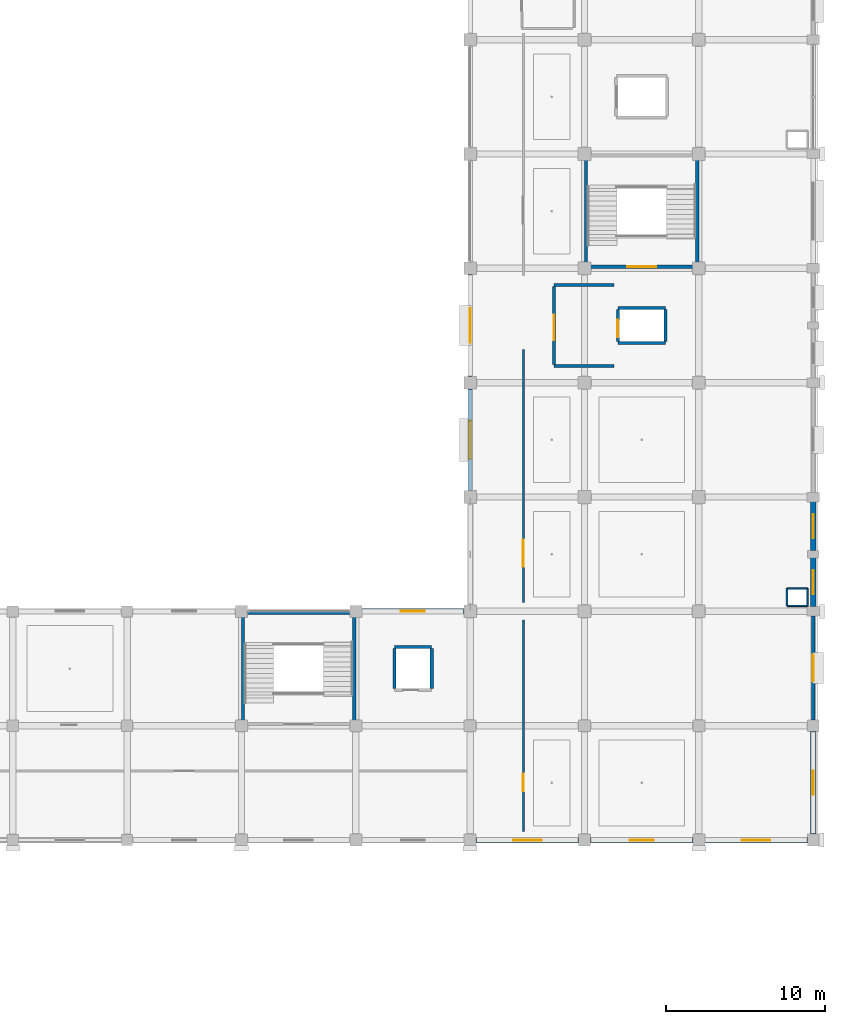
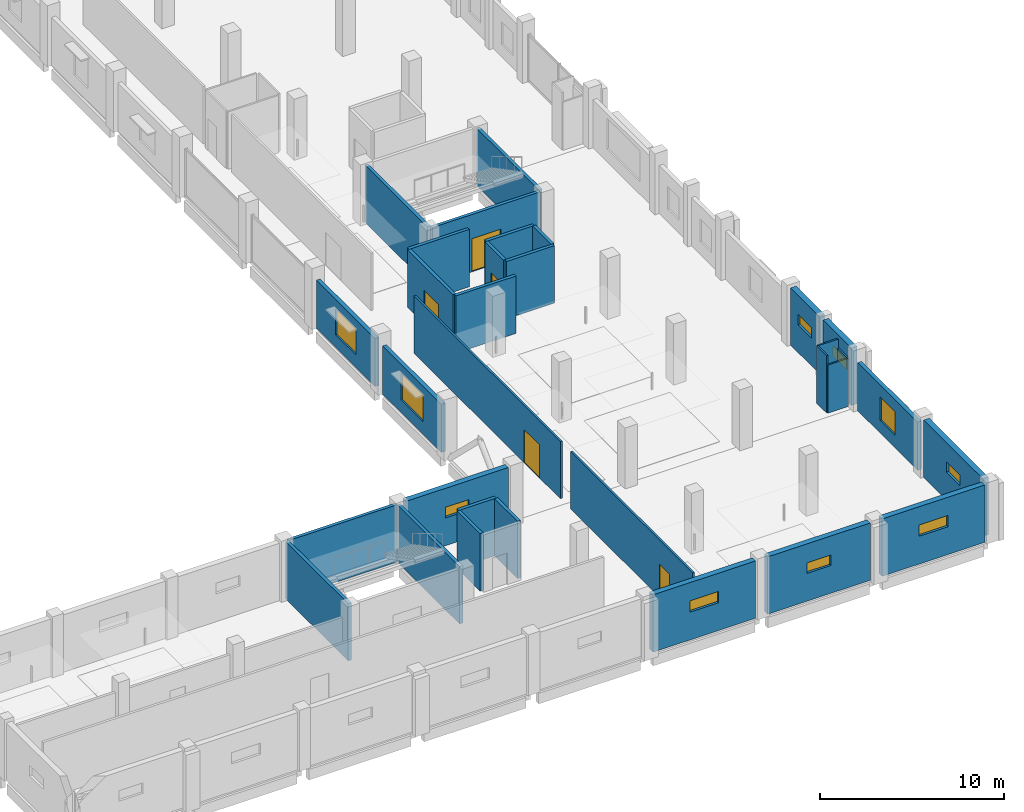
# One storey, part 83 of 107: 32 walls, 10 windows, 5 doors, 15 openings.
"""IFC4 building model written with IfcOpenShell, lengths in metres."""

from ifc_helpers import new_model, si_unit, direction, frame, frame_2d, origin, place, context, subcontext, project, spatial, rectangle, extrude, material, layer, layer_set, type_object, element, fill, save


model = new_model("IFC4")

# Units and contexts
model_context = context("Model", 3, precision=1e-05, world=origin(), true_north=direction((0.0, 1.0)))
body_context = subcontext(model_context, "Body", "Model", "MODEL_VIEW")
ifc_project = project(units=[si_unit("LENGTHUNIT", "METRE"), si_unit("AREAUNIT", "SQUARE_METRE"), si_unit("VOLUMEUNIT", "CUBIC_METRE"), si_unit("PLANEANGLEUNIT", "RADIAN"), si_unit("MASSUNIT", "GRAM", prefix="KILO")], contexts=[model_context])

# Site, building, storey
site_placement = place(None, origin())
site = spatial("IfcSite", under=ifc_project, at=site_placement, CompositionType="ELEMENT")
building_placement = place(site_placement, origin())
building = spatial("IfcBuilding", under=site, at=building_placement, Name="Kangsadwip Square Police Headquarters", CompositionType="ELEMENT")
storey_placement = place(building_placement, frame((0.0, 0.0, 5.39990234375)))
storey = spatial("IfcBuildingStorey", under=building, at=storey_placement, Name="L01", CompositionType="ELEMENT", Elevation=5.39990234375)

# Wall, opening, door
ifc_material_1 = material(Name="Fire-rated double gypsum board acoustic stud partition", Category="masonry")
ifc_layer_1 = layer(ifc_material_1, 0.1201171875)
ifc_layer_set_1 = layer_set([ifc_layer_1], Name="Fire-rated double gypsum board acoustic stud partition")
wall_type_1 = type_object("IfcWallType", Name="AcousticPartition120", PredefinedType="PARTITIONING", material=ifc_layer_set_1)
wall_1_placement = place(storey_placement, frame((147.35009765625, 36.550048828125, 0.0), z_axis=(0.0, 0.0, 1.0), x_axis=(0.0, 1.0, 0.0)))
wall_1 = element("IfcWall", 1, at=wall_1_placement, inside=storey, type_object=wall_type_1, Name="Interior Wall WI-L01-0741", PredefinedType="PARTITIONING", context=body_context, shape_type="SweptSolid", body=[
    extrude(rectangle(XDim=15.949951171875, YDim=0.1201171875, at=frame_2d((7.97509765625, 0.0))), origin(), (0.0, 0.0, 1.0), 3.81005859375),
])
opening_1_placement = place(wall_1_placement, frame((2.25, 0.0, 0.0)))
opening_1 = element("IfcOpeningElement", 2, at=opening_1_placement, cuts=wall_1, Name="Opening ID-17", PredefinedType="OPENING", context=body_context, shape_type="SweptSolid", body=[
    extrude(rectangle(XDim=1.699951171875, YDim=2.199951171875, at=frame_2d((0.85009765625, 1.10009765625))), frame((0.0, 0.070068359375, 0.0), z_axis=(0.0, -1.0, 0.0), x_axis=(1.0, 0.0, 0.0)), (0.0, 0.0, 1.0), 0.14013671875),
])
ifc_material_2 = material(Name="Insulated galvanized steel fire-rated door assembly", Category="steel")
door_type_1 = type_object("IfcDoorType", Name="LabDoubleDoor1700x2200", OperationType="DOUBLE_DOOR_SINGLE_SWING", PredefinedType="DOOR", material=ifc_material_2)
door_1_placement = place(opening_1_placement, origin())
door_1 = element("IfcDoor", 3, at=door_1_placement, inside=storey, type_object=door_type_1, Name="Interior Door ID-L01-0170", OperationType="DOUBLE_DOOR_SINGLE_SWING", OverallHeight=2.199951171875, OverallWidth=1.699951171875, PredefinedType="DOOR", context=body_context, shape_type="SweptSolid", body=[
    extrude(rectangle(XDim=1.699951171875, YDim=2.199951171875, at=frame_2d((0.85009765625, 1.10009765625))), frame((0.0, 0.02490234375, 0.0), z_axis=(0.0, -1.0, 0.0), x_axis=(1.0, 0.0, 0.0)), (0.0, 0.0, 1.0), 0.050048828125),
])
fill(opening_1, door_1)

wall_2_placement = place(storey_placement, frame((147.35009765625, 22.14990234375, 0.0), z_axis=(0.0, 0.0, 1.0), x_axis=(0.0, 1.0, 0.0)))
wall_2 = element("IfcWall", 4, at=wall_2_placement, inside=storey, type_object=wall_type_1, Name="Interior Wall WI-L01-0749", PredefinedType="PARTITIONING", context=body_context, shape_type="SweptSolid", body=[
    extrude(rectangle(XDim=13.300048828125, YDim=0.1201171875, at=frame_2d((6.64990234375, 0.0))), origin(), (0.0, 0.0, 1.0), 3.81005859375),
])
opening_2_placement = place(wall_2_placement, frame((2.5390625, 0.0, 0.0)))
opening_2 = element("IfcOpeningElement", 5, at=opening_2_placement, cuts=wall_2, Name="Opening FD-11A", PredefinedType="OPENING", context=body_context, shape_type="SweptSolid", body=[
    extrude(rectangle(XDim=1.10009765625, YDim=2.199951171875, at=frame_2d((0.550048828125, 1.10009765625))), frame((0.0, 0.070068359375, 0.0), z_axis=(0.0, -1.0, 0.0), x_axis=(1.0, 0.0, 0.0)), (0.0, 0.0, 1.0), 0.14013671875),
])
ifc_material_3 = material(Name="Insulated galvanized steel fire-rated door assembly", Category="steel")
door_type_2 = type_object("IfcDoorType", Name="LabSingleDoor1100x2200", OperationType="NOTDEFINED", PredefinedType="DOOR", material=ifc_material_3)
door_2_placement = place(opening_2_placement, origin())
door_2 = element("IfcDoor", 6, at=door_2_placement, inside=storey, type_object=door_type_2, Name="Interior Door ID-L01-0177", OperationType="SINGLE_SWING_LEFT", OverallHeight=2.199951171875, OverallWidth=1.10009765625, PredefinedType="DOOR", context=body_context, shape_type="SweptSolid", body=[
    extrude(rectangle(XDim=1.10009765625, YDim=2.199951171875, at=frame_2d((0.550048828125, 1.10009765625))), frame((0.0, 0.02490234375, 0.0), z_axis=(0.0, -1.0, 0.0), x_axis=(1.0, 0.0, 0.0)), (0.0, 0.0, 1.0), 0.050048828125),
])
fill(opening_2, door_2)

# Wall, opening, window
ifc_material_4 = material(Name="Glazed architectural terracotta masonry rainscreen", Category="masonry")
ifc_layer_2 = layer(ifc_material_4, 0.25)
ifc_layer_set_2 = layer_set([ifc_layer_2], Name="Glazed architectural terracotta masonry rainscreen")
wall_type_2 = type_object("IfcWallType", Name="ChicagoTerracottaWall250", PredefinedType="SOLIDWALL", material=ifc_layer_set_2)
wall_3_placement = place(storey_placement, frame((144.0, 43.594970703125, 0.0), z_axis=(0.0, 0.0, 1.0), x_axis=(0.0, 1.0, 0.0)))
wall_3 = element("IfcWall", 7, at=wall_3_placement, inside=storey, type_object=wall_type_2, Name="Exterior Wall WE-L01-274", PredefinedType="SOLIDWALL", context=body_context, shape_type="SweptSolid", body=[
    extrude(rectangle(XDim=6.409912109375, YDim=0.25, at=frame_2d((3.205078125, 0.0))), origin(), (0.0, 0.0, 1.0), 3.195068359375),
])
opening_3_placement = place(wall_3_placement, frame((2.0048828125, 0.0, 0.85009765625)))
opening_3 = element("IfcOpeningElement", 8, at=opening_3_placement, cuts=wall_3, Name="Opening WN-07", PredefinedType="OPENING", context=body_context, shape_type="SweptSolid", body=[
    extrude(rectangle(XDim=2.39990234375, YDim=1.75, at=frame_2d((1.199951171875, 0.875))), frame((0.0, 0.135009765625, 0.0), z_axis=(0.0, -1.0, 0.0), x_axis=(1.0, 0.0, 0.0)), (0.0, 0.0, 1.0), 0.27001953125),
])
ifc_material_5 = material(Name="Double-glazed solar-control low-E safety glass", Category="glass")
window_type_1 = type_object("IfcWindowType", Name="ChicagoDoubleMullWin2400x1750", PartitioningType="DOUBLE_PANEL_VERTICAL", PredefinedType="WINDOW", material=ifc_material_5)
window_1_placement = place(opening_3_placement, origin())
window_1 = element("IfcWindow", 9, at=window_1_placement, inside=storey, type_object=window_type_1, Name="Window WN-L01-0127", OverallHeight=1.75, OverallWidth=2.39990234375, PartitioningType="SINGLE_PANEL", PredefinedType="WINDOW", context=body_context, shape_type="SweptSolid", body=[
    extrude(rectangle(XDim=2.39990234375, YDim=1.75, at=frame_2d((1.199951171875, 0.875))), frame((0.0, 0.030029296875, 0.0), z_axis=(0.0, -1.0, 0.0), x_axis=(1.0, 0.0, 0.0)), (0.0, 0.0, 1.0), 0.06005859375),
])
fill(opening_3, window_1)

wall_4_placement = place(storey_placement, frame((144.0, 50.794921875, 0.0), z_axis=(0.0, 0.0, 1.0), x_axis=(0.0, 1.0, 0.0)))
wall_4 = element("IfcWall", 10, at=wall_4_placement, inside=storey, type_object=wall_type_2, Name="Exterior Wall WE-L01-275", PredefinedType="SOLIDWALL", context=body_context, shape_type="SweptSolid", body=[
    extrude(rectangle(XDim=6.41015625, YDim=0.25, at=frame_2d((3.205078125, 0.0))), origin(), (0.0, 0.0, 1.0), 3.195068359375),
])
opening_4_placement = place(wall_4_placement, frame((2.10498046875, 0.0, 0.85009765625)))
opening_4 = element("IfcOpeningElement", 11, at=opening_4_placement, cuts=wall_4, Name="Opening WN-08", PredefinedType="OPENING", context=body_context, shape_type="SweptSolid", body=[
    extrude(rectangle(XDim=2.199951171875, YDim=1.699951171875, at=frame_2d((1.10009765625, 0.85009765625))), frame((0.0, 0.135009765625, 0.0), z_axis=(0.0, -1.0, 0.0), x_axis=(1.0, 0.0, 0.0)), (0.0, 0.0, 1.0), 0.27001953125),
])
ifc_material_6 = material(Name="Double-glazed solar-control low-E safety glass", Category="glass")
window_type_2 = type_object("IfcWindowType", Name="ChicagoDoubleMullWin2200x1700", PartitioningType="DOUBLE_PANEL_VERTICAL", PredefinedType="WINDOW", material=ifc_material_6)
window_2_placement = place(opening_4_placement, origin())
window_2 = element("IfcWindow", 12, at=window_2_placement, inside=storey, type_object=window_type_2, Name="Window WN-L01-0128", OverallHeight=1.699951171875, OverallWidth=2.199951171875, PartitioningType="SINGLE_PANEL", PredefinedType="WINDOW", context=body_context, shape_type="SweptSolid", body=[
    extrude(rectangle(XDim=2.199951171875, YDim=1.699951171875, at=frame_2d((1.10009765625, 0.85009765625))), frame((0.0, 0.030029296875, 0.0), z_axis=(0.0, -1.0, 0.0), x_axis=(1.0, 0.0, 0.0)), (0.0, 0.0, 1.0), 0.06005859375),
])
fill(opening_4, window_2)

wall_5_placement = place(storey_placement, frame((165.60009765625, 29.169921875, 0.0), z_axis=(0.0, 0.0, 1.0), x_axis=(0.0, 1.0, 0.0)))
wall_5 = element("IfcWall", 13, at=wall_5_placement, inside=storey, type_object=wall_type_2, Name="Exterior Wall WE-L01-280", PredefinedType="SOLIDWALL", context=body_context, shape_type="SweptSolid", body=[
    extrude(rectangle(XDim=6.53515625, YDim=0.25, at=frame_2d((3.267578125, 0.0))), origin(), (0.0, 0.0, 1.0), 3.195068359375),
])
opening_5_placement = place(wall_5_placement, frame((2.4423828125, 0.0, 0.85009765625)))
opening_5 = element("IfcOpeningElement", 14, at=opening_5_placement, cuts=wall_5, Name="Opening WN-11", PredefinedType="OPENING", context=body_context, shape_type="SweptSolid", body=[
    extrude(rectangle(XDim=1.64990234375, YDim=1.550048828125, at=frame_2d((0.824951171875, 0.77490234375))), frame((0.0, 0.135009765625, 0.0), z_axis=(0.0, -1.0, 0.0), x_axis=(1.0, 0.0, 0.0)), (0.0, 0.0, 1.0), 0.27001953125),
])
ifc_material_7 = material(Name="Double-glazed solar-control low-E safety glass", Category="glass")
window_type_3 = type_object("IfcWindowType", Name="LabCleanViewWin1650x1550", PartitioningType="SINGLE_PANEL", PredefinedType="WINDOW", material=ifc_material_7)
window_3_placement = place(opening_5_placement, origin())
window_3 = element("IfcWindow", 15, at=window_3_placement, inside=storey, type_object=window_type_3, Name="Window WN-L01-0133", OverallHeight=1.550048828125, OverallWidth=1.64990234375, PartitioningType="SINGLE_PANEL", PredefinedType="WINDOW", context=body_context, shape_type="SweptSolid", body=[
    extrude(rectangle(XDim=1.64990234375, YDim=1.550048828125, at=frame_2d((0.824951171875, 0.77490234375))), frame((0.0, 0.030029296875, 0.0), z_axis=(0.0, -1.0, 0.0), x_axis=(1.0, 0.0, 0.0)), (0.0, 0.0, 1.0), 0.06005859375),
])
fill(opening_5, window_3)

# Wall, opening, door
ifc_material_8 = material(Name="Concrete M40 (40 MPa)", Category="concrete")
ifc_layer_3 = layer(ifc_material_8, 0.199951171875)
ifc_layer_set_3 = layer_set([ifc_layer_3], Name="Concrete M40 (40 MPa)")
wall_type_3 = type_object("IfcWallType", Name="CoreShearWall200", PredefinedType="SHEAR", material=ifc_layer_set_3)
wall_6_placement = place(storey_placement, frame((151.39990234375, 57.699951171875, 0.0), z_axis=(0.0, 0.0, 1.0), x_axis=(1.0, 0.0, 0.0)))
wall_6 = element("IfcWall", 16, at=wall_6_placement, inside=storey, type_object=wall_type_3, Name="Interior Wall WI-L01-0097", PredefinedType="SHEAR", context=body_context, shape_type="SweptSolid", body=[
    extrude(rectangle(XDim=6.800048828125, YDim=0.199951171875, at=frame_2d((3.39990234375, 0.0))), origin(), (0.0, 0.0, 1.0), 3.81005859375),
])
opening_6_placement = place(wall_6_placement, frame((2.5, 0.0, 0.0)))
opening_6 = element("IfcOpeningElement", 17, at=opening_6_placement, cuts=wall_6, Name="Opening FD-18", PredefinedType="OPENING", context=body_context, shape_type="SweptSolid", body=[
    extrude(rectangle(XDim=1.800048828125, YDim=2.199951171875, at=frame_2d((0.89990234375, 1.10009765625))), frame((0.0, 0.10986328125, 0.0), z_axis=(0.0, -1.0, 0.0), x_axis=(1.0, 0.0, 0.0)), (0.0, 0.0, 1.0), 0.219970703125),
])
ifc_material_9 = material(Name="Insulated galvanized steel fire-rated door assembly", Category="steel")
door_type_3 = type_object("IfcDoorType", Name="StairFireDoor1800x2200", OperationType="DOUBLE_DOOR_SINGLE_SWING", PredefinedType="DOOR", material=ifc_material_9)
door_3_placement = place(opening_6_placement, origin())
door_3 = element("IfcDoor", 18, at=door_3_placement, inside=storey, type_object=door_type_3, Name="Interior Door ID-L01-0021", OperationType="DOUBLE_DOOR_SINGLE_SWING", OverallHeight=2.199951171875, OverallWidth=1.800048828125, PredefinedType="DOOR", context=body_context, shape_type="SweptSolid", body=[
    extrude(rectangle(XDim=1.800048828125, YDim=2.199951171875, at=frame_2d((0.89990234375, 1.10009765625))), frame((0.0, 0.02490234375, 0.0), z_axis=(0.0, -1.0, 0.0), x_axis=(1.0, 0.0, 0.0)), (0.0, 0.0, 1.0), 0.050048828125),
])
fill(opening_6, door_3)

# Walls
for number, where, z_axis, x_axis, name in (
    (19, (151.300048828125, 57.800048828125, 0.0), (0.0, 0.0, 1.0), (0.0, 1.0, 0.0), "Interior Wall WI-L01-0099"),
    (20, (158.300048828125, 57.800048828125, 0.0), (0.0, 0.0, 1.0), (0.0, 1.0, 0.0), "Interior Wall WI-L01-0100"),
    (21, (129.800048828125, 35.89990234375, 0.0), (0.0, 0.0, 1.0), (1.0, 0.0, 0.0), "Interior Wall WI-L01-0184"),
    (22, (129.699951171875, 29.0, 0.0), (0.0, 0.0, 1.0), (0.0, 1.0, 0.0), "Interior Wall WI-L01-0185"),
    (23, (136.699951171875, 29.0, 0.0), (0.0, 0.0, 1.0), (0.0, 1.0, 0.0), "Interior Wall WI-L01-0186"),
):
    element("IfcWall", number, at=place(storey_placement, frame(where, z_axis=z_axis, x_axis=x_axis)), inside=storey, type_object=wall_type_3, Name=name, PredefinedType="SHEAR", context=body_context, shape_type="SweptSolid", body=[
        extrude(rectangle(XDim=6.800048828125, YDim=0.199951171875, at=frame_2d((3.39990234375, 0.0))), origin(), (0.0, 0.0, 1.0), 3.81005859375),
    ])
for number, where, z_axis, x_axis, name in (
    (24, (153.300048828125, 52.89990234375, 0.0), (0.0, 0.0, 1.0), (1.0, 0.0, 0.0), "Interior Wall WI-L01-0319"),
    (25, (153.300048828125, 55.10009765625, 0.0), (0.0, 0.0, 1.0), (1.0, 0.0, 0.0), "Interior Wall WI-L01-0320"),
):
    element("IfcWall", number, at=place(storey_placement, frame(where, z_axis=z_axis, x_axis=x_axis)), inside=storey, type_object=wall_type_3, Name=name, PredefinedType="SHEAR", context=body_context, shape_type="SweptSolid", body=[
        extrude(rectangle(XDim=3.0, YDim=0.199951171875, at=frame_2d((1.5, 0.0))), origin(), (0.0, 0.0, 1.0), 3.81005859375),
    ])

# Wall, opening, door
wall_7_placement = place(storey_placement, frame((153.300048828125, 53.0, 0.0), z_axis=(0.0, 0.0, 1.0), x_axis=(0.0, 1.0, 0.0)))
wall_7 = element("IfcWall", 26, at=wall_7_placement, inside=storey, type_object=wall_type_3, Name="Interior Wall WI-L01-0321", PredefinedType="SHEAR", context=body_context, shape_type="SweptSolid", body=[
    extrude(rectangle(XDim=2.0, YDim=0.199951171875, at=frame_2d((1.0, 0.0))), origin(), (0.0, 0.0, 1.0), 3.81005859375),
])
opening_7_placement = place(wall_7_placement, frame((0.25, 0.0, 0.0)))
opening_7 = element("IfcOpeningElement", 27, at=opening_7_placement, cuts=wall_7, Name="Opening LD-021", PredefinedType="OPENING", context=body_context, shape_type="SweptSolid", body=[
    extrude(rectangle(XDim=1.10009765625, YDim=2.14990234375, at=frame_2d((0.550048828125, 1.074951171875))), frame((0.0, 0.10986328125, 0.0), z_axis=(0.0, -1.0, 0.0), x_axis=(1.0, 0.0, 0.0)), (0.0, 0.0, 1.0), 0.219970703125),
])
ifc_material_10 = material(Name="Brushed stainless steel automatic sliding lift landing door", Category="steel")
door_type_4 = type_object("IfcDoorType", Name="LiftLandingDoor1100x2150", OperationType="DOUBLE_DOOR_SLIDING", PredefinedType="DOOR", material=ifc_material_10)
door_4_placement = place(opening_7_placement, origin())
door_4 = element("IfcDoor", 28, at=door_4_placement, inside=storey, type_object=door_type_4, Name="Interior Door LD-021", OperationType="DOUBLE_DOOR_SLIDING", OverallHeight=2.14990234375, OverallWidth=1.10009765625, PredefinedType="DOOR", context=body_context, shape_type="SweptSolid", body=[
    extrude(rectangle(XDim=1.10009765625, YDim=2.14990234375, at=frame_2d((0.550048828125, 1.074951171875))), frame((0.0, 0.02490234375, 0.0), z_axis=(0.0, -1.0, 0.0), x_axis=(1.0, 0.0, 0.0)), (0.0, 0.0, 1.0), 0.050048828125),
])
fill(opening_7, door_4)

# Walls
wall_8_placement = place(storey_placement, frame((156.300048828125, 53.0, 0.0), z_axis=(0.0, 0.0, 1.0), x_axis=(0.0, 1.0, 0.0)))
element("IfcWall", 29, at=wall_8_placement, inside=storey, type_object=wall_type_3, Name="Interior Wall WI-L01-0322", PredefinedType="SHEAR", context=body_context, shape_type="SweptSolid", body=[
    extrude(rectangle(XDim=2.0, YDim=0.199951171875, at=frame_2d((1.0, 0.0))), origin(), (0.0, 0.0, 1.0), 3.81005859375),
])
wall_9_placement = place(storey_placement, frame((139.22509765625, 33.75, 0.0), z_axis=(0.0, 0.0, 1.0), x_axis=(1.0, 0.0, 0.0)))
element("IfcWall", 30, at=wall_9_placement, inside=storey, type_object=wall_type_3, Name="Interior Wall WI-L01-0492", PredefinedType="SHEAR", context=body_context, shape_type="SweptSolid", body=[
    extrude(rectangle(XDim=2.349853515625, YDim=0.199951171875, at=frame_2d((1.1748046875, 0.0))), origin(), (0.0, 0.0, 1.0), 3.81005859375),
])
for number, where, z_axis, x_axis, name in (
    (31, (139.22509765625, 31.14990234375, 0.0), (0.0, 0.0, 1.0), (0.0, 1.0, 0.0), "Interior Wall WI-L01-0493"),
    (32, (141.574951171875, 31.14990234375, 0.0), (0.0, 0.0, 1.0), (0.0, 1.0, 0.0), "Interior Wall WI-L01-0494"),
):
    element("IfcWall", number, at=place(storey_placement, frame(where, z_axis=z_axis, x_axis=x_axis)), inside=storey, type_object=wall_type_3, Name=name, PredefinedType="SHEAR", context=body_context, shape_type="SweptSolid", body=[
        extrude(rectangle(XDim=2.5, YDim=0.199951171875, at=frame_2d((1.25, 0.0))), origin(), (0.0, 0.0, 1.0), 3.81005859375),
    ])

# Wall, opening, window
ifc_material_11 = material(Name="Concrete M40 (40 MPa)", Category="concrete")
ifc_layer_4 = layer(ifc_material_11, 0.35009765625)
ifc_layer_set_4 = layer_set([ifc_layer_4], Name="Concrete M40 (40 MPa)")
wall_type_4 = type_object("IfcWallType", Name="CustodyPerimeterWall350", PredefinedType="SOLIDWALL", material=ifc_layer_set_4)
wall_10_placement = place(storey_placement, frame((144.3701171875, 21.60009765625, 0.0), z_axis=(0.0, 0.0, 1.0), x_axis=(1.0, 0.0, 0.0)))
wall_10 = element("IfcWall", 33, at=wall_10_placement, inside=storey, type_object=wall_type_4, Name="Exterior Wall WE-L01-228", PredefinedType="SOLIDWALL", context=body_context, shape_type="SweptSolid", body=[
    extrude(rectangle(XDim=6.4599609375, YDim=0.35009765625, at=frame_2d((3.22998046875, 0.0))), origin(), (0.0, 0.0, 1.0), 3.81005859375),
])
opening_8_placement = place(wall_10_placement, frame((2.330078125, 0.0, 1.85009765625)))
opening_8 = element("IfcOpeningElement", 34, at=opening_8_placement, cuts=wall_10, Name="Opening WN-16", PredefinedType="OPENING", context=body_context, shape_type="SweptSolid", body=[
    extrude(rectangle(XDim=1.800048828125, YDim=0.75, at=frame_2d((0.89990234375, 0.375))), frame((0.0, 0.18505859375, 0.0), z_axis=(0.0, -1.0, 0.0), x_axis=(1.0, 0.0, 0.0)), (0.0, 0.0, 1.0), 0.3701171875),
])
ifc_material_12 = material(Name="Double-glazed solar-control low-E safety glass", Category="glass")
window_type_4 = type_object("IfcWindowType", Name="CustodyClerestoryWin1800x750", PartitioningType="DOUBLE_PANEL_HORIZONTAL", PredefinedType="WINDOW", material=ifc_material_12)
window_4_placement = place(opening_8_placement, origin())
window_4 = element("IfcWindow", 35, at=window_4_placement, inside=storey, type_object=window_type_4, Name="Window WN-L01-0081", OverallHeight=0.75, OverallWidth=1.800048828125, PartitioningType="SINGLE_PANEL", PredefinedType="WINDOW", context=body_context, shape_type="SweptSolid", body=[
    extrude(rectangle(XDim=1.800048828125, YDim=0.75, at=frame_2d((0.89990234375, 0.375))), frame((0.0, 0.030029296875, 0.0), z_axis=(0.0, -1.0, 0.0), x_axis=(1.0, 0.0, 0.0)), (0.0, 0.0, 1.0), 0.06005859375),
])
fill(opening_8, window_4)

wall_11_placement = place(storey_placement, frame((151.570068359375, 21.60009765625, 0.0), z_axis=(0.0, 0.0, 1.0), x_axis=(1.0, 0.0, 0.0)))
wall_11 = element("IfcWall", 36, at=wall_11_placement, inside=storey, type_object=wall_type_4, Name="Exterior Wall WE-L01-229", PredefinedType="SOLIDWALL", context=body_context, shape_type="SweptSolid", body=[
    extrude(rectangle(XDim=6.4599609375, YDim=0.35009765625, at=frame_2d((3.22998046875, 0.0))), origin(), (0.0, 0.0, 1.0), 3.81005859375),
])
opening_9_placement = place(wall_11_placement, frame((2.47998046875, 0.0, 1.85009765625)))
opening_9 = element("IfcOpeningElement", 37, at=opening_9_placement, cuts=wall_11, Name="Opening WN-17", PredefinedType="OPENING", context=body_context, shape_type="SweptSolid", body=[
    extrude(rectangle(XDim=1.5, YDim=0.699951171875, at=frame_2d((0.75, 0.35009765625))), frame((0.0, 0.18505859375, 0.0), z_axis=(0.0, -1.0, 0.0), x_axis=(1.0, 0.0, 0.0)), (0.0, 0.0, 1.0), 0.3701171875),
])
ifc_material_13 = material(Name="Double-glazed solar-control low-E safety glass", Category="glass")
window_type_5 = type_object("IfcWindowType", Name="CustodyClerestoryWin1500x700", PartitioningType="SINGLE_PANEL", PredefinedType="WINDOW", material=ifc_material_13)
window_5_placement = place(opening_9_placement, origin())
window_5 = element("IfcWindow", 38, at=window_5_placement, inside=storey, type_object=window_type_5, Name="Window WN-L01-0082", OverallHeight=0.699951171875, OverallWidth=1.5, PartitioningType="SINGLE_PANEL", PredefinedType="WINDOW", context=body_context, shape_type="SweptSolid", body=[
    extrude(rectangle(XDim=1.5, YDim=0.699951171875, at=frame_2d((0.75, 0.35009765625))), frame((0.0, 0.030029296875, 0.0), z_axis=(0.0, -1.0, 0.0), x_axis=(1.0, 0.0, 0.0)), (0.0, 0.0, 1.0), 0.06005859375),
])
fill(opening_9, window_5)

wall_12_placement = place(storey_placement, frame((158.77001953125, 21.60009765625, 0.0), z_axis=(0.0, 0.0, 1.0), x_axis=(1.0, 0.0, 0.0)))
wall_12 = element("IfcWall", 39, at=wall_12_placement, inside=storey, type_object=wall_type_4, Name="Exterior Wall WE-L01-230", PredefinedType="SOLIDWALL", context=body_context, shape_type="SweptSolid", body=[
    extrude(rectangle(XDim=6.4599609375, YDim=0.35009765625, at=frame_2d((3.22998046875, 0.0))), origin(), (0.0, 0.0, 1.0), 3.81005859375),
])
opening_10_placement = place(wall_12_placement, frame((2.330078125, 0.0, 1.85009765625)))
opening_10 = element("IfcOpeningElement", 40, at=opening_10_placement, cuts=wall_12, Name="Opening WN-16", PredefinedType="OPENING", context=body_context, shape_type="SweptSolid", body=[
    extrude(rectangle(XDim=1.800048828125, YDim=0.75, at=frame_2d((0.89990234375, 0.375))), frame((0.0, 0.18505859375, 0.0), z_axis=(0.0, -1.0, 0.0), x_axis=(1.0, 0.0, 0.0)), (0.0, 0.0, 1.0), 0.3701171875),
])
window_6_placement = place(opening_10_placement, origin())
window_6 = element("IfcWindow", 41, at=window_6_placement, inside=storey, type_object=window_type_4, Name="Window WN-L01-0083", OverallHeight=0.75, OverallWidth=1.800048828125, PartitioningType="SINGLE_PANEL", PredefinedType="WINDOW", context=body_context, shape_type="SweptSolid", body=[
    extrude(rectangle(XDim=1.800048828125, YDim=0.75, at=frame_2d((0.89990234375, 0.375))), frame((0.0, 0.030029296875, 0.0), z_axis=(0.0, -1.0, 0.0), x_axis=(1.0, 0.0, 0.0)), (0.0, 0.0, 1.0), 0.06005859375),
])
fill(opening_10, window_6)

wall_13_placement = place(storey_placement, frame((137.169921875, 36.0, 0.0), z_axis=(0.0, 0.0, 1.0), x_axis=(1.0, 0.0, 0.0)))
wall_13 = element("IfcWall", 42, at=wall_13_placement, inside=storey, type_object=wall_type_4, Name="Exterior Wall WE-L01-235", PredefinedType="SOLIDWALL", context=body_context, shape_type="SweptSolid", body=[
    extrude(rectangle(XDim=6.43505859375, YDim=0.35009765625, at=frame_2d((3.217529296875, 0.0))), origin(), (0.0, 0.0, 1.0), 3.81005859375),
])
opening_11_placement = place(wall_13_placement, frame((2.467529296875, 0.0, 1.85009765625)))
opening_11 = element("IfcOpeningElement", 43, at=opening_11_placement, cuts=wall_13, Name="Opening WN-17", PredefinedType="OPENING", context=body_context, shape_type="SweptSolid", body=[
    extrude(rectangle(XDim=1.5, YDim=0.699951171875, at=frame_2d((0.75, 0.35009765625))), frame((0.0, 0.18505859375, 0.0), z_axis=(0.0, -1.0, 0.0), x_axis=(1.0, 0.0, 0.0)), (0.0, 0.0, 1.0), 0.3701171875),
])
window_7_placement = place(opening_11_placement, origin())
window_7 = element("IfcWindow", 44, at=window_7_placement, inside=storey, type_object=window_type_5, Name="Window WN-L01-0088", OverallHeight=0.699951171875, OverallWidth=1.5, PartitioningType="SINGLE_PANEL", PredefinedType="WINDOW", context=body_context, shape_type="SweptSolid", body=[
    extrude(rectangle(XDim=1.5, YDim=0.699951171875, at=frame_2d((0.75, 0.35009765625))), frame((0.0, 0.030029296875, 0.0), z_axis=(0.0, -1.0, 0.0), x_axis=(1.0, 0.0, 0.0)), (0.0, 0.0, 1.0), 0.06005859375),
])
fill(opening_11, window_7)

wall_14_placement = place(storey_placement, frame((165.60009765625, 21.969970703125, 0.0), z_axis=(0.0, 0.0, 1.0), x_axis=(0.0, 1.0, 0.0)))
wall_14 = element("IfcWall", 45, at=wall_14_placement, inside=storey, type_object=wall_type_4, Name="Exterior Wall WE-L01-279", PredefinedType="SOLIDWALL", context=body_context, shape_type="SweptSolid", body=[
    extrude(rectangle(XDim=6.4599609375, YDim=0.35009765625, at=frame_2d((3.22998046875, 0.0))), origin(), (0.0, 0.0, 1.0), 3.81005859375),
])
opening_12_placement = place(wall_14_placement, frame((2.47998046875, 0.0, 1.85009765625)))
opening_12 = element("IfcOpeningElement", 46, at=opening_12_placement, cuts=wall_14, Name="Opening WN-17", PredefinedType="OPENING", context=body_context, shape_type="SweptSolid", body=[
    extrude(rectangle(XDim=1.5, YDim=0.699951171875, at=frame_2d((0.75, 0.35009765625))), frame((0.0, 0.18505859375, 0.0), z_axis=(0.0, -1.0, 0.0), x_axis=(1.0, 0.0, 0.0)), (0.0, 0.0, 1.0), 0.3701171875),
])
window_8_placement = place(opening_12_placement, origin())
window_8 = element("IfcWindow", 47, at=window_8_placement, inside=storey, type_object=window_type_5, Name="Window WN-L01-0132", OverallHeight=0.699951171875, OverallWidth=1.5, PartitioningType="SINGLE_PANEL", PredefinedType="WINDOW", context=body_context, shape_type="SweptSolid", body=[
    extrude(rectangle(XDim=1.5, YDim=0.699951171875, at=frame_2d((0.75, 0.35009765625))), frame((0.0, 0.030029296875, 0.0), z_axis=(0.0, -1.0, 0.0), x_axis=(1.0, 0.0, 0.0)), (0.0, 0.0, 1.0), 0.06005859375),
])
fill(opening_12, window_8)

wall_15_placement = place(storey_placement, frame((165.60009765625, 36.294921875, 0.0), z_axis=(0.0, 0.0, 1.0), x_axis=(0.0, 1.0, 0.0)))
wall_15 = element("IfcWall", 48, at=wall_15_placement, inside=storey, type_object=wall_type_4, Name="Exterior Wall WE-L01-281", PredefinedType="SOLIDWALL", context=body_context, shape_type="SweptSolid", body=[
    extrude(rectangle(XDim=3.0849609375, YDim=0.35009765625, at=frame_2d((1.54248046875, 0.0))), origin(), (0.0, 0.0, 1.0), 3.81005859375),
])
opening_13_placement = place(wall_15_placement, frame((0.79248046875, 0.0, 1.85009765625)))
opening_13 = element("IfcOpeningElement", 49, at=opening_13_placement, cuts=wall_15, Name="Opening WN-17", PredefinedType="OPENING", context=body_context, shape_type="SweptSolid", body=[
    extrude(rectangle(XDim=1.5, YDim=0.699951171875, at=frame_2d((0.75, 0.35009765625))), frame((0.0, 0.18505859375, 0.0), z_axis=(0.0, -1.0, 0.0), x_axis=(1.0, 0.0, 0.0)), (0.0, 0.0, 1.0), 0.3701171875),
])
window_9_placement = place(opening_13_placement, origin())
window_9 = element("IfcWindow", 50, at=window_9_placement, inside=storey, type_object=window_type_5, Name="Window WN-L01-0134", OverallHeight=0.699951171875, OverallWidth=1.5, PartitioningType="SINGLE_PANEL", PredefinedType="WINDOW", context=body_context, shape_type="SweptSolid", body=[
    extrude(rectangle(XDim=1.5, YDim=0.699951171875, at=frame_2d((0.75, 0.35009765625))), frame((0.0, 0.030029296875, 0.0), z_axis=(0.0, -1.0, 0.0), x_axis=(1.0, 0.0, 0.0)), (0.0, 0.0, 1.0), 0.06005859375),
])
fill(opening_13, window_9)

wall_16_placement = place(storey_placement, frame((165.60009765625, 39.820068359375, 0.0), z_axis=(0.0, 0.0, 1.0), x_axis=(0.0, 1.0, 0.0)))
wall_16 = element("IfcWall", 51, at=wall_16_placement, inside=storey, type_object=wall_type_4, Name="Exterior Wall WE-L01-282", PredefinedType="SOLIDWALL", context=body_context, shape_type="SweptSolid", body=[
    extrude(rectangle(XDim=3.0849609375, YDim=0.35009765625, at=frame_2d((1.54248046875, 0.0))), origin(), (0.0, 0.0, 1.0), 3.81005859375),
])
opening_14_placement = place(wall_16_placement, frame((0.79248046875, 0.0, 1.85009765625)))
opening_14 = element("IfcOpeningElement", 52, at=opening_14_placement, cuts=wall_16, Name="Opening WN-17", PredefinedType="OPENING", context=body_context, shape_type="SweptSolid", body=[
    extrude(rectangle(XDim=1.5, YDim=0.699951171875, at=frame_2d((0.75, 0.35009765625))), frame((0.0, 0.18505859375, 0.0), z_axis=(0.0, -1.0, 0.0), x_axis=(1.0, 0.0, 0.0)), (0.0, 0.0, 1.0), 0.3701171875),
])
window_10_placement = place(opening_14_placement, origin())
window_10 = element("IfcWindow", 53, at=window_10_placement, inside=storey, type_object=window_type_5, Name="Window WN-L01-0135", OverallHeight=0.699951171875, OverallWidth=1.5, PartitioningType="SINGLE_PANEL", PredefinedType="WINDOW", context=body_context, shape_type="SweptSolid", body=[
    extrude(rectangle(XDim=1.5, YDim=0.699951171875, at=frame_2d((0.75, 0.35009765625))), frame((0.0, 0.030029296875, 0.0), z_axis=(0.0, -1.0, 0.0), x_axis=(1.0, 0.0, 0.0)), (0.0, 0.0, 1.0), 0.06005859375),
])
fill(opening_14, window_10)

# Wall, opening, door
ifc_material_14 = material(Name="Concrete M40 (40 MPa)", Category="concrete")
ifc_layer_5 = layer(ifc_material_14, 0.199951171875)
ifc_layer_set_5 = layer_set([ifc_layer_5], Name="Concrete M40 (40 MPa)")
wall_type_5 = type_object("IfcWallType", Name="CustodySecurityWall200", PredefinedType="SOLIDWALL", material=ifc_layer_set_5)
wall_17_placement = place(storey_placement, frame((149.280029296875, 51.530029296875, 0.0), z_axis=(0.0, 0.0, 1.0), x_axis=(0.0, 1.0, 0.0)))
wall_17 = element("IfcWall", 54, at=wall_17_placement, inside=storey, type_object=wall_type_5, Name="Interior Wall WI-L01-0715", PredefinedType="SOLIDWALL", context=body_context, shape_type="SweptSolid", body=[
    extrude(rectangle(XDim=4.93994140625, YDim=0.199951171875, at=frame_2d((2.469970703125, 0.0))), origin(), (0.0, 0.0, 1.0), 3.81005859375),
])
opening_15_placement = place(wall_17_placement, frame((1.541015625, 0.0, 0.0)))
opening_15 = element("IfcOpeningElement", 55, at=opening_15_placement, cuts=wall_17, Name="Opening FD-16", PredefinedType="OPENING", context=body_context, shape_type="SweptSolid", body=[
    extrude(rectangle(XDim=1.60009765625, YDim=2.199951171875, at=frame_2d((0.800048828125, 1.10009765625))), frame((0.0, 0.10986328125, 0.0), z_axis=(0.0, -1.0, 0.0), x_axis=(1.0, 0.0, 0.0)), (0.0, 0.0, 1.0), 0.219970703125),
])
ifc_material_15 = material(Name="Insulated galvanized steel fire-rated door assembly", Category="steel")
door_type_5 = type_object("IfcDoorType", Name="FfLobbyFireDoor1600x2200", OperationType="DOUBLE_DOOR_SINGLE_SWING", PredefinedType="DOOR", material=ifc_material_15)
door_5_placement = place(opening_15_placement, origin())
door_5 = element("IfcDoor", 56, at=door_5_placement, inside=storey, type_object=door_type_5, Name="Interior Door ID-L01-0156", OperationType="DOUBLE_DOOR_SINGLE_SWING", OverallHeight=2.199951171875, OverallWidth=1.60009765625, PredefinedType="DOOR", context=body_context, shape_type="SweptSolid", body=[
    extrude(rectangle(XDim=1.60009765625, YDim=2.199951171875, at=frame_2d((0.800048828125, 1.10009765625))), frame((0.0, 0.02490234375, 0.0), z_axis=(0.0, -1.0, 0.0), x_axis=(1.0, 0.0, 0.0)), (0.0, 0.0, 1.0), 0.050048828125),
])
fill(opening_15, door_5)

# Walls
for number, where, z_axis, x_axis, name in (
    (57, (149.280029296875, 51.449951171875, 0.0), (0.0, 0.0, 1.0), (1.0, 0.0, 0.0), "Interior Wall WI-L01-0716"),
    (58, (149.280029296875, 56.550048828125, 0.0), (0.0, 0.0, 1.0), (1.0, 0.0, 0.0), "Interior Wall WI-L01-0717"),
):
    element("IfcWall", number, at=place(storey_placement, frame(where, z_axis=z_axis, x_axis=x_axis)), inside=storey, type_object=wall_type_5, Name=name, PredefinedType="SOLIDWALL", context=body_context, shape_type="SweptSolid", body=[
        extrude(rectangle(XDim=3.780029296875, YDim=0.199951171875, at=frame_2d((1.89013671875, 0.0))), origin(), (0.0, 0.0, 1.0), 3.81005859375),
    ])
ifc_material_16 = material(Name="Autoclaved aerated concrete blockwork masonry", Category="masonry")
ifc_layer_6 = layer(ifc_material_16, 0.10009765625)
ifc_layer_set_6 = layer_set([ifc_layer_6], Name="Autoclaved aerated concrete blockwork masonry")
wall_type_6 = type_object("IfcWallType", Name="WetWallPartition100", PredefinedType="PARTITIONING", material=ifc_layer_set_6)
wall_18_placement = place(storey_placement, frame((163.949951171875, 36.35009765625, 0.0), z_axis=(0.0, 0.0, 1.0), x_axis=(1.0, 0.0, 0.0)))
element("IfcWall", 59, at=wall_18_placement, inside=storey, type_object=wall_type_6, Name="Interior Wall WI-L01-0583", PredefinedType="PARTITIONING", context=body_context, shape_type="SweptSolid", body=[
    extrude(rectangle(XDim=1.300048828125, YDim=0.10009765625, at=frame_2d((0.64990234375, 0.0))), origin(), (0.0, 0.0, 1.0), 3.2001953125),
])
wall_19_placement = place(storey_placement, frame((163.949951171875, 37.449951171875, 0.0), z_axis=(0.0, 0.0, 1.0), x_axis=(1.0, 0.0, 0.0)))
element("IfcWall", 60, at=wall_19_placement, inside=storey, type_object=wall_type_6, Name="Interior Wall WI-L01-0584", PredefinedType="PARTITIONING", context=body_context, shape_type="SweptSolid", body=[
    extrude(rectangle(XDim=1.300048828125, YDim=0.10009765625, at=frame_2d((0.64990234375, 0.0))), origin(), (0.0, 0.0, 1.0), 3.81005859375),
])
wall_20_placement = place(storey_placement, frame((163.949951171875, 36.35009765625, 0.0), z_axis=(0.0, 0.0, 1.0), x_axis=(0.0, 1.0, 0.0)))
element("IfcWall", 61, at=wall_20_placement, inside=storey, type_object=wall_type_6, Name="Interior Wall WI-L01-0585", PredefinedType="PARTITIONING", context=body_context, shape_type="SweptSolid", body=[
    extrude(rectangle(XDim=1.099853515625, YDim=0.10009765625, at=frame_2d((0.5498046875, 0.0))), origin(), (0.0, 0.0, 1.0), 3.81005859375),
])
wall_21_placement = place(storey_placement, frame((165.25, 36.35009765625, 0.0), z_axis=(0.0, 0.0, 1.0), x_axis=(0.0, 1.0, 0.0)))
element("IfcWall", 62, at=wall_21_placement, inside=storey, type_object=wall_type_6, Name="Interior Wall WI-L01-0586", PredefinedType="PARTITIONING", context=body_context, shape_type="SweptSolid", body=[
    extrude(rectangle(XDim=1.099853515625, YDim=0.10009765625, at=frame_2d((0.5498046875, 0.0))), origin(), (0.0, 0.0, 1.0), 3.2001953125),
])

save(model, "model.ifc")
